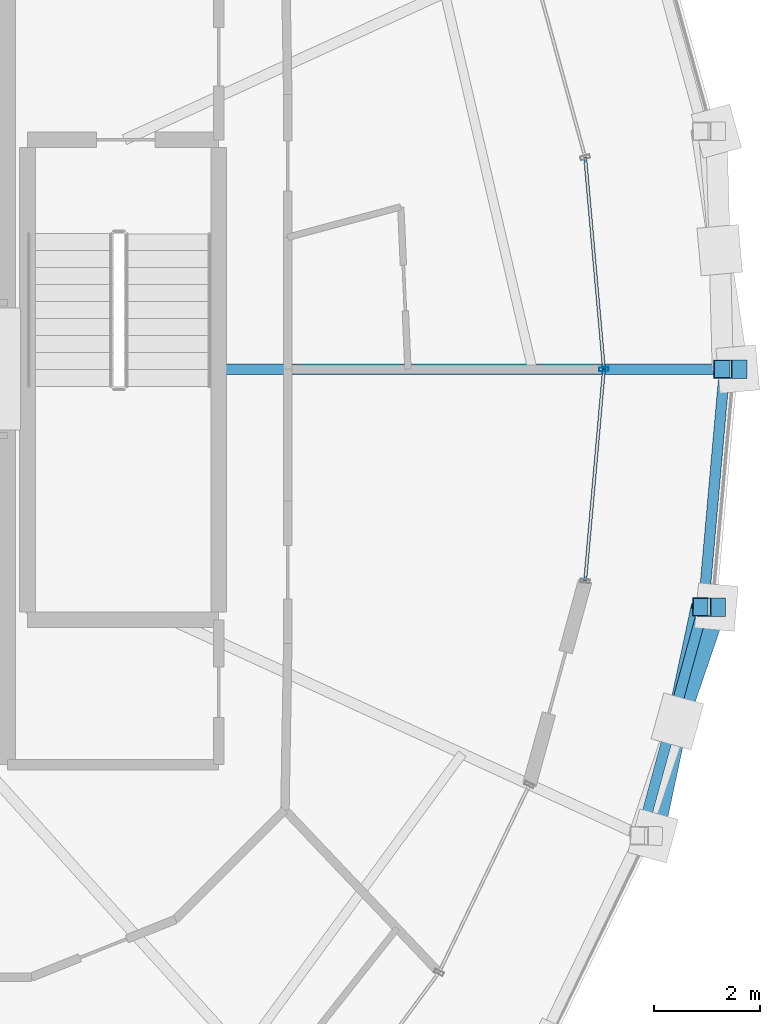
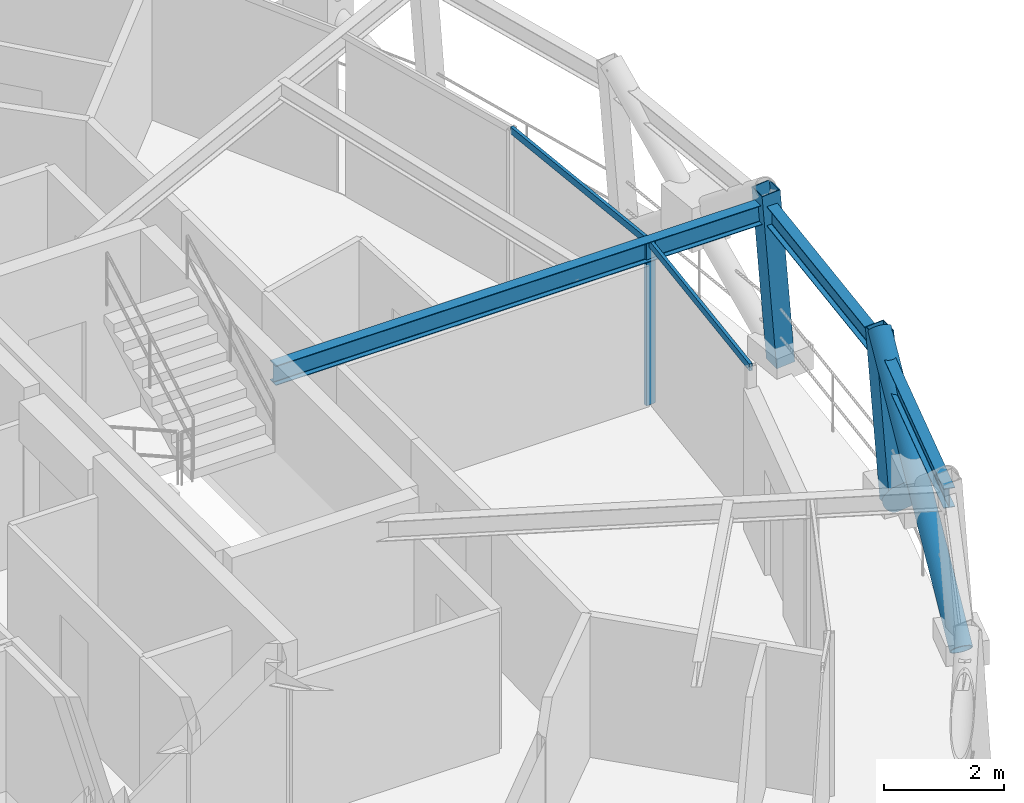
# One storey, part 5 of 15: 7 members, 3 beams, 1 element without a shape of its own.
"""IFC4 building model written with IfcOpenShell, lengths in metres."""

from ifc_helpers import new_model, si_unit, direction, frame, origin, origin_2d, place, context, subcontext, project, spatial, hollow_rectangle, hollow_circle, i_section, extrude, material, layer, layer_set, material_profile, profile_set, type_object, element, aggregate, save


model = new_model("IFC4")

# Units and contexts
model_context = context("Model", 3, precision=1e-05, world=origin(), true_north=direction((0.0, 1.0)))
body_context = subcontext(model_context, "Body", "Model", "MODEL_VIEW")
ifc_project = project(units=[si_unit("LENGTHUNIT", "METRE"), si_unit("AREAUNIT", "SQUARE_METRE"), si_unit("VOLUMEUNIT", "CUBIC_METRE"), si_unit("PLANEANGLEUNIT", "RADIAN"), si_unit("MASSUNIT", "GRAM", prefix="KILO")], contexts=[model_context])

# Site, building, storey
site_placement = place(None, origin())
site = spatial("IfcSite", under=ifc_project, at=site_placement, CompositionType="ELEMENT")
building_placement = place(site_placement, origin())
building = spatial("IfcBuilding", under=site, at=building_placement, Name="Veldorina Hangang Commons", CompositionType="ELEMENT")
storey_placement = place(building_placement, frame((0.0, 0.0, 276.0)))
storey = spatial("IfcBuildingStorey", under=building, at=storey_placement, Name="L72", CompositionType="ELEMENT", Elevation=276.0)

# Beams
ifc_material_1 = material(Name="Steel SM355-TMC", Category="steel")
ifc_material_profile_1 = material_profile(ifc_material_1, i_section(OverallWidth=0.199951171875, OverallDepth=0.39990234375, WebThickness=0.008056640625, FlangeThickness=0.012939453125, FilletRadius=0.012939453125, at=origin_2d()), Name="H-400x200x8x13")
ifc_profile_set_1 = profile_set([ifc_material_profile_1], Name="Steel SM355-TMC")
beam_type_1 = type_object("IfcBeamType", Name="BM-FG400", PredefinedType="BEAM", material=ifc_profile_set_1)
beam_1_placement = place(storey_placement, frame((43.179931640625, 24.0, 3.159912109375), z_axis=(1.0, 0.0, 0.0), x_axis=(0.0, 1.0, 0.0)))
element("IfcBeam", 1, at=beam_1_placement, inside=storey, type_object=beam_type_1, Name="L72 radial floor girder 01", PredefinedType="BEAM", context=body_context, shape_type="SweptSolid", body=[
    extrude(i_section(OverallWidth=0.199951171875, OverallDepth=0.39990234375, WebThickness=0.008056640625, FlangeThickness=0.012939453125, FilletRadius=0.012939453125, at=origin_2d()), origin(), (0.0, 0.0, 1.0), 9.52734375),
])
ifc_material_profile_2 = material_profile(ifc_material_1, i_section(OverallWidth=0.199951171875, OverallDepth=0.39990234375, WebThickness=0.008056640625, FlangeThickness=0.012939453125, FilletRadius=0.012939453125, at=origin_2d()), Name="H-400x200x8x13")
ifc_profile_set_2 = profile_set([ifc_material_profile_2], Name="Steel SM355-TMC")
beam_type_2 = type_object("IfcBeamType", Name="BM-RB400", PredefinedType="BEAM", material=ifc_profile_set_2)
beam_2_placement = place(storey_placement, frame((51.131103515625, 15.212890625, 3.159912109375), z_axis=(0.263843618219, 0.96456546959, 0.0), x_axis=(-0.96456546959, 0.263843618219, 0.0)))
element("IfcBeam", 2, at=beam_2_placement, inside=storey, type_object=beam_type_2, Name="L72 perimeter hoop ring beam 30", PredefinedType="BEAM", context=body_context, shape_type="SweptSolid", body=[
    extrude(i_section(OverallWidth=0.199951171875, OverallDepth=0.39990234375, WebThickness=0.008056640625, FlangeThickness=0.012939453125, FilletRadius=0.012939453125, at=origin_2d()), origin(), (0.0, 0.0, 1.0), 4.465576171875),
])
beam_3_placement = place(storey_placement, frame((52.309326171875, 19.520263671875, 3.159912109375), z_axis=(0.088484733714, 0.996077533076, 0.0), x_axis=(-0.996077533076, 0.088484733714, 0.0)))
element("IfcBeam", 3, at=beam_3_placement, inside=storey, type_object=beam_type_2, Name="L72 perimeter hoop ring beam 31", PredefinedType="BEAM", context=body_context, shape_type="SweptSolid", body=[
    extrude(i_section(OverallWidth=0.199951171875, OverallDepth=0.39990234375, WebThickness=0.008056640625, FlangeThickness=0.012939453125, FilletRadius=0.012939453125, at=origin_2d()), origin(), (0.0, 0.0, 1.0), 4.497314453125),
])

# Curtain wall, members
ifc_material_2 = material(Name="Glass Low-E Selective", Category="glass")
ifc_layer = layer(ifc_material_2, 0.179931640625)
ifc_layer_set = layer_set([ifc_layer], Name="Glass Low-E Selective")
curtain_wall_type = type_object("IfcCurtainWallType", Name="CW-SYS-Z3", PredefinedType="NOTDEFINED", material=ifc_layer_set)
curtain_wall_placement = place(storey_placement, origin())
curtain_wall = element("IfcCurtainWall", 4, at=curtain_wall_placement, inside=storey, type_object=curtain_wall_type, Name="L72 unitised curtain wall CW-L72-R2", PredefinedType="NOTDEFINED")
ifc_material_3 = material(Name="Aluminium Anodized AA6063-T6", Category="aluminium")
ifc_material_profile_3 = material_profile(ifc_material_3, hollow_rectangle(XDim=0.070068359375, YDim=0.179931640625, WallThickness=0.00390625, at=origin_2d()), Name="ALU-RHS-180x70x4")
ifc_profile_set_3 = profile_set([ifc_material_profile_3], Name="Aluminium Anodized AA6063-T6")
member_type_1 = type_object("IfcMemberType", Name="CW-MUL-180", PredefinedType="MULLION", material=ifc_profile_set_3)
member_1_placement = place(storey_placement, frame((50.434814453125, 24.0, 0.0), z_axis=(0.0, 0.0, 1.0), x_axis=(-0.08842491372, 0.996082845266, 0.0)))
member_1 = element("IfcMember", 5, at=member_1_placement, type_object=member_type_1, Name="CW-L72-R2 vertical mullion 2", PredefinedType="MULLION", context=body_context, shape_type="SweptSolid", body=[
    extrude(hollow_rectangle(XDim=0.070068359375, YDim=0.179931640625, WallThickness=0.00390625, at=origin_2d()), origin(), (0.0, 0.0, 1.0), 3.320068359375),
])
ifc_material_profile_4 = material_profile(ifc_material_3, hollow_rectangle(XDim=0.06005859375, YDim=0.139892578125, WallThickness=0.00341796875, at=origin_2d()), Name="ALU-RHS-140x60x3.5")
ifc_profile_set_4 = profile_set([ifc_material_profile_4], Name="Aluminium Anodized AA6063-T6")
member_type_2 = type_object("IfcMemberType", Name="CW-TRN-140", PredefinedType="USERDEFINED", material=ifc_profile_set_4)
member_2_placement = place(storey_placement, frame((50.080810546875, 20.010009765625, 3.280029296875), z_axis=(0.088375845314, 0.99608719998, 0.0), x_axis=(-0.99608719998, 0.088375845314, 0.0)))
member_2 = element("IfcMember", 6, at=member_2_placement, type_object=member_type_2, Name="CW-L72-R2 facet 1 transom 1", ObjectType="TRANSOM", PredefinedType="USERDEFINED", context=body_context, shape_type="SweptSolid", body=[
    extrude(hollow_rectangle(XDim=0.06005859375, YDim=0.139892578125, WallThickness=0.00341796875, at=origin_2d()), origin(), (0.0, 0.0, 1.0), 4.005615234375),
])
member_3_placement = place(storey_placement, frame((50.434814453125, 24.0, 3.280029296875), z_axis=(-0.088375845314, 0.99608719998, 0.0), x_axis=(-0.99608719998, -0.088375845314, 0.0)))
member_3 = element("IfcMember", 7, at=member_3_placement, type_object=member_type_2, Name="CW-L72-R2 facet 2 transom 1", ObjectType="TRANSOM", PredefinedType="USERDEFINED", context=body_context, shape_type="SweptSolid", body=[
    extrude(hollow_rectangle(XDim=0.06005859375, YDim=0.139892578125, WallThickness=0.00341796875, at=origin_2d()), origin(), (0.0, 0.0, 1.0), 4.005615234375),
])
aggregate(curtain_wall, [member_1, member_2, member_3])

# Members
ifc_material_profile_5 = material_profile(ifc_material_1, hollow_circle(Radius=0.199951171875, WallThickness=0.02001953125, at=origin_2d()), Name="CHS-400x20")
ifc_profile_set_5 = profile_set([ifc_material_profile_5], Name="Steel SM355-TMC")
member_type_3 = type_object("IfcMemberType", Name="DG-CHS400", PredefinedType="BRACE", material=ifc_profile_set_5)
member_4_placement = place(storey_placement, frame((51.35986328125, 15.208740234375, 0.0), z_axis=(0.160866007404, 0.757614548472, 0.632568038716), x_axis=(-0.978192199773, 0.207701758063, 0.0)))
element("IfcMember", 8, at=member_4_placement, inside=storey, type_object=member_type_3, Name="L72 continuous perimeter diagrid brace 30", PredefinedType="BRACE", context=body_context, shape_type="SweptSolid", body=[
    extrude(hollow_circle(Radius=0.199951171875, WallThickness=0.02001953125, at=origin_2d()), origin(), (0.0, 0.0, 1.0), 5.691162109375),
])
member_5_placement = place(storey_placement, frame((52.55224609375, 19.518310546875, 0.0), z_axis=(-0.253072559961, -0.741880484223, 0.620940920317), x_axis=(0.946448313742, -0.322855369191, 0.0)))
element("IfcMember", 9, at=member_5_placement, inside=storey, type_object=member_type_3, Name="L72 split perimeter diagrid lower brace 31", PredefinedType="BRACE", context=body_context, shape_type="SweptSolid", body=[
    extrude(hollow_circle(Radius=0.199951171875, WallThickness=0.02001953125, at=origin_2d()), origin(), (0.0, 0.0, 1.0), 2.90087890625),
])
ifc_material_profile_6 = material_profile(ifc_material_1, hollow_rectangle(XDim=0.35009765625, YDim=0.35009765625, WallThickness=0.01611328125, at=origin_2d()), Name="SHS-350x350x16")
ifc_profile_set_6 = profile_set([ifc_material_profile_6], Name="Steel SM355-TMC")
member_type_4 = type_object("IfcMemberType", Name="STR-SHS350", PredefinedType="STRUT", material=ifc_profile_set_6)
member_6_placement = place(storey_placement, frame((52.954833984375, 24.0, 0.0), z_axis=(-0.078154354316, 0.0, 0.996941270538), x_axis=(0.0, -1.0, 0.0)))
element("IfcMember", 10, at=member_6_placement, inside=storey, type_object=member_type_4, Name="L72 perimeter ring node post 00", PredefinedType="STRUT", context=body_context, shape_type="SweptSolid", body=[
    extrude(hollow_rectangle(XDim=0.35009765625, YDim=0.35009765625, WallThickness=0.01611328125, at=origin_2d()), origin(), (0.0, 0.0, 1.0), 3.611083984375),
])
member_7_placement = place(storey_placement, frame((52.55224609375, 19.518310546875, 0.0), z_axis=(-0.076675802326, 0.000608538114, 0.997055891622), x_axis=(-0.007936257995, -0.999968507409, 0.0)))
element("IfcMember", 11, at=member_7_placement, inside=storey, type_object=member_type_4, Name="L72 perimeter ring node post 31", PredefinedType="STRUT", context=body_context, shape_type="SweptSolid", body=[
    extrude(hollow_rectangle(XDim=0.35009765625, YDim=0.35009765625, WallThickness=0.01611328125, at=origin_2d()), origin(), (0.0, 0.0, 1.0), 3.61083984375),
])

save(model, "model.ifc")
